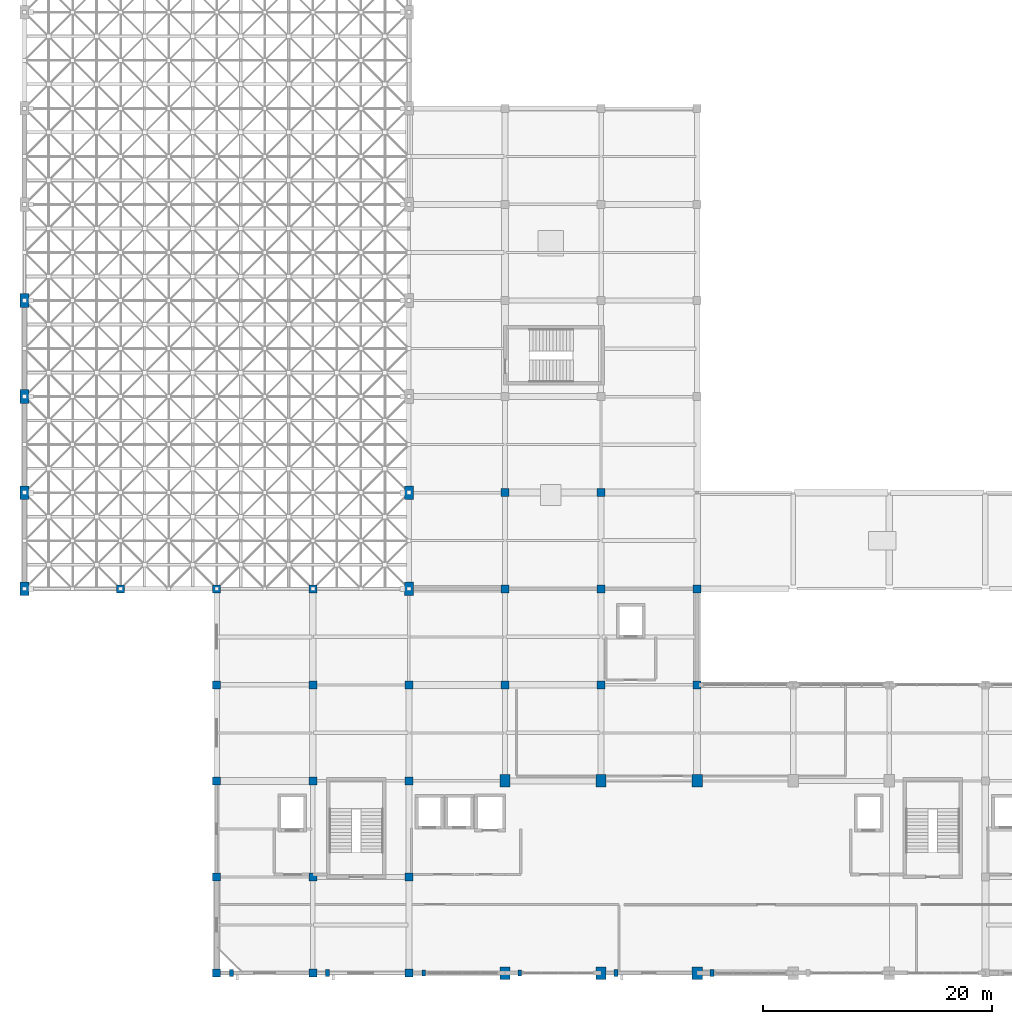
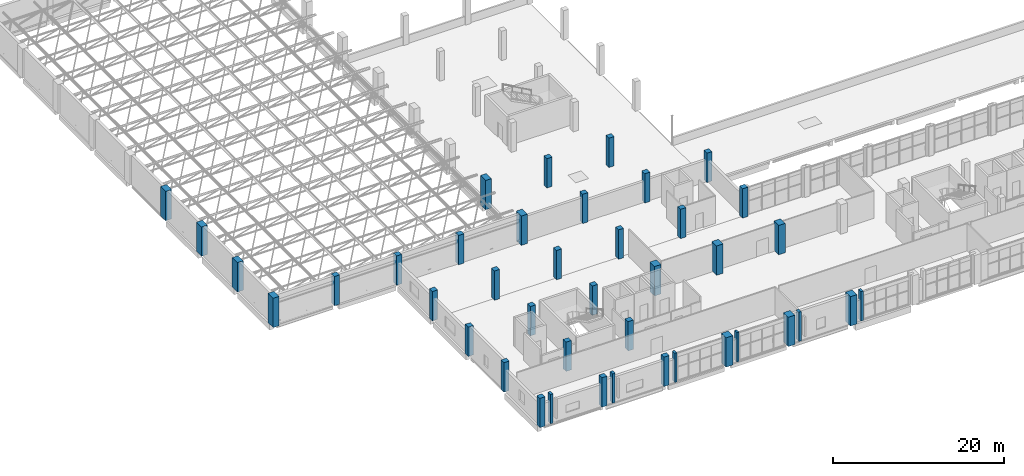
# One storey, part 1 of 64: 41 columns.
"""IFC4 building model written with IfcOpenShell, lengths in metres."""

from ifc_helpers import new_model, si_unit, derived_unit, direction, frame, origin, origin_2d, place, context, subcontext, project, spatial, rectangle, extrude, material, material_profile, profile_set, type_object, element, save


model = new_model("IFC4")

# Units and contexts
model_context = context("Model", 3, precision=1e-05, world=origin(), true_north=direction((0.0, 1.0)))
body_context = subcontext(model_context, "Body", "Model", "MODEL_VIEW")
ifc_project = project(units=[si_unit("LENGTHUNIT", "METRE"), si_unit("AREAUNIT", "SQUARE_METRE"), si_unit("VOLUMEUNIT", "CUBIC_METRE"), si_unit("PLANEANGLEUNIT", "RADIAN"), si_unit("MASSUNIT", "GRAM", prefix="KILO"), derived_unit("THERMALTRANSMITTANCEUNIT", [(si_unit("POWERUNIT", "WATT"), 1), (si_unit("LENGTHUNIT", "METRE"), -2), (si_unit("THERMODYNAMICTEMPERATUREUNIT", "KELVIN"), -1)])], contexts=[model_context])

# Site, building, storey
site_placement = place(None, origin())
site = spatial("IfcSite", under=ifc_project, at=site_placement, CompositionType="ELEMENT")
building_placement = place(site_placement, origin())
building = spatial("IfcBuilding", under=site, at=building_placement, Name="Barrovel Congress Hotel", CompositionType="ELEMENT")
storey_placement = place(building_placement, frame((0.0, 0.0, 14.10009765625)))
storey = spatial("IfcBuildingStorey", under=building, at=storey_placement, Name="L03", CompositionType="ELEMENT", Elevation=14.10009765625)

# Columns
ifc_material_1 = material(Name="Concrete C40", Category="concrete")
ifc_material_profile_1 = material_profile(ifc_material_1, rectangle(XDim=0.699951171875, YDim=0.699951171875, at=origin_2d()), Name="RC700x700")
ifc_profile_set_1 = profile_set([ifc_material_profile_1], Name="Concrete C40")
column_type_1 = type_object("IfcColumnType", Name="COL-RC700x700", PredefinedType="COLUMN", material=ifc_profile_set_1)
for number, where, z_axis, x_axis, name in (
    (1, (8.39990234375, 37.800048828125, 0.0), (0.0, 0.0, 1.0), (1.0, 0.0, 0.0), "COL:L03:8.4:37.8"),
    (2, (16.800048828125, 4.199951171875, 0.0), (0.0, 0.0, 1.0), (1.0, 0.0, 0.0), "COL:L03:16.8:4.2"),
    (3, (16.800048828125, 12.60009765625, 0.0), (0.0, 0.0, 1.0), (1.0, 0.0, 0.0), "COL:L03:16.8:12.6"),
    (4, (16.800048828125, 21.0, 0.0), (0.0, 0.0, 1.0), (1.0, 0.0, 0.0), "COL:L03:16.8:21.0"),
    (5, (16.800048828125, 29.39990234375, 0.0), (0.0, 0.0, 1.0), (1.0, 0.0, 0.0), "COL:L03:16.8:29.4"),
    (6, (16.800048828125, 37.800048828125, 0.0), (0.0, 0.0, 1.0), (1.0, 0.0, 0.0), "COL:L03:16.8:37.8"),
    (7, (25.199951171875, 4.199951171875, 0.0), (0.0, 0.0, 1.0), (1.0, 0.0, 0.0), "COL:L03:25.2:4.2"),
    (8, (25.199951171875, 12.60009765625, 0.0), (0.0, 0.0, 1.0), (1.0, 0.0, 0.0), "COL:L03:25.2:12.6"),
    (9, (25.199951171875, 21.0, 0.0), (0.0, 0.0, 1.0), (1.0, 0.0, 0.0), "COL:L03:25.2:21.0"),
    (10, (25.199951171875, 29.39990234375, 0.0), (0.0, 0.0, 1.0), (1.0, 0.0, 0.0), "COL:L03:25.2:29.4"),
    (11, (25.199951171875, 37.800048828125, 0.0), (0.0, 0.0, 1.0), (1.0, 0.0, 0.0), "COL:L03:25.2:37.8"),
    (12, (33.60009765625, 4.199951171875, 0.0), (0.0, 0.0, 1.0), (1.0, 0.0, 0.0), "COL:L03:33.6:4.2"),
    (13, (33.60009765625, 12.60009765625, 0.0), (0.0, 0.0, 1.0), (1.0, 0.0, 0.0), "COL:L03:33.6:12.6"),
    (14, (33.60009765625, 21.0, 0.0), (0.0, 0.0, 1.0), (1.0, 0.0, 0.0), "COL:L03:33.6:21.0"),
    (15, (33.60009765625, 29.39990234375, 0.0), (0.0, 0.0, 1.0), (1.0, 0.0, 0.0), "COL:L03:33.6:29.4"),
    (16, (42.0, 29.39990234375, 0.0), (0.0, 0.0, 1.0), (1.0, 0.0, 0.0), "COL:L03:42.0:29.4"),
    (17, (42.0, 37.800048828125, 0.0), (0.0, 0.0, 1.0), (1.0, 0.0, 0.0), "COL:L03:42.0:37.8"),
    (18, (42.0, 46.199951171875, 0.0), (0.0, 0.0, 1.0), (1.0, 0.0, 0.0), "COL:L03:42.0:46.2"),
    (19, (50.39990234375, 29.39990234375, 0.0), (0.0, 0.0, 1.0), (1.0, 0.0, 0.0), "COL:L03:50.4:29.4"),
    (20, (50.39990234375, 37.800048828125, 0.0), (0.0, 0.0, 1.0), (1.0, 0.0, 0.0), "COL:L03:50.4:37.8"),
    (21, (50.39990234375, 46.199951171875, 0.0), (0.0, 0.0, 1.0), (1.0, 0.0, 0.0), "COL:L03:50.4:46.2"),
    (22, (58.800048828125, 29.39990234375, 0.0), (0.0, 0.0, 1.0), (1.0, 0.0, 0.0), "COL:L03:58.8:29.4"),
    (23, (58.800048828125, 37.800048828125, 0.0), (0.0, 0.0, 1.0), (1.0, 0.0, 0.0), "COL:L03:58.8:37.8"),
):
    element("IfcColumn", number, at=place(storey_placement, frame(where, z_axis=z_axis, x_axis=x_axis)), inside=storey, type_object=column_type_1, Name=name, PredefinedType="COLUMN", context=body_context, shape_type="SweptSolid", body=[
        extrude(rectangle(XDim=0.699951171875, YDim=0.699951171875, at=origin_2d()), origin(), (0.0, 0.0, 1.0), 4.199951171875),
    ])
ifc_material_profile_2 = material_profile(ifc_material_1, rectangle(XDim=0.800048828125, YDim=1.199951171875, at=origin_2d()), Name="RC800x1200")
ifc_profile_set_2 = profile_set([ifc_material_profile_2], Name="Concrete C40")
column_type_2 = type_object("IfcColumnType", Name="COL-RC800x1200", PredefinedType="COLUMN", material=ifc_profile_set_2)
for number, where, z_axis, x_axis, name in (
    (24, (0.0, 37.800048828125, 0.0), (0.0, 0.0, 1.0), (1.0, 0.0, 0.0), "COL:L03:0.0:37.8"),
    (25, (0.0, 46.199951171875, 0.0), (0.0, 0.0, 1.0), (1.0, 0.0, 0.0), "COL:L03:0.0:46.2"),
    (26, (0.0, 54.60009765625, 0.0), (0.0, 0.0, 1.0), (1.0, 0.0, 0.0), "COL:L03:0.0:54.6"),
    (27, (0.0, 63.0, 0.0), (0.0, 0.0, 1.0), (1.0, 0.0, 0.0), "COL:L03:0.0:63.0"),
    (28, (33.60009765625, 37.800048828125, 0.0), (0.0, 0.0, 1.0), (1.0, 0.0, 0.0), "COL:L03:33.6:37.8"),
    (29, (33.60009765625, 46.199951171875, 0.0), (0.0, 0.0, 1.0), (1.0, 0.0, 0.0), "COL:L03:33.6:46.2"),
):
    element("IfcColumn", number, at=place(storey_placement, frame(where, z_axis=z_axis, x_axis=x_axis)), inside=storey, type_object=column_type_2, Name=name, PredefinedType="COLUMN", context=body_context, shape_type="SweptSolid", body=[
        extrude(rectangle(XDim=0.800048828125, YDim=1.199951171875, at=origin_2d()), origin(), (0.0, 0.0, 1.0), 4.199951171875),
    ])
ifc_material_2 = material(Name="Concrete C50", Category="concrete")
ifc_material_profile_3 = material_profile(ifc_material_2, rectangle(XDim=0.89990234375, YDim=1.10009765625, at=origin_2d()), Name="RC900x1100")
ifc_profile_set_3 = profile_set([ifc_material_profile_3], Name="Concrete C50")
column_type_3 = type_object("IfcColumnType", Name="COL-RC900x1100", PredefinedType="COLUMN", material=ifc_profile_set_3)
for number, where, z_axis, x_axis, name in (
    (30, (42.0, 4.199951171875, 0.0), (0.0, 0.0, 1.0), (1.0, 0.0, 0.0), "COL:L03:42.0:4.2"),
    (31, (42.0, 21.0, 0.0), (0.0, 0.0, 1.0), (1.0, 0.0, 0.0), "COL:L03:42.0:21.0"),
    (32, (50.39990234375, 4.199951171875, 0.0), (0.0, 0.0, 1.0), (1.0, 0.0, 0.0), "COL:L03:50.4:4.2"),
    (33, (50.39990234375, 21.0, 0.0), (0.0, 0.0, 1.0), (1.0, 0.0, 0.0), "COL:L03:50.4:21.0"),
    (34, (58.800048828125, 4.199951171875, 0.0), (0.0, 0.0, 1.0), (1.0, 0.0, 0.0), "COL:L03:58.8:4.2"),
    (35, (58.800048828125, 21.0, 0.0), (0.0, 0.0, 1.0), (1.0, 0.0, 0.0), "COL:L03:58.8:21.0"),
):
    element("IfcColumn", number, at=place(storey_placement, frame(where, z_axis=z_axis, x_axis=x_axis)), inside=storey, type_object=column_type_3, Name=name, PredefinedType="COLUMN", context=body_context, shape_type="SweptSolid", body=[
        extrude(rectangle(XDim=0.89990234375, YDim=1.10009765625, at=origin_2d()), origin(), (0.0, 0.0, 1.0), 4.199951171875),
    ])
ifc_material_profile_4 = material_profile(ifc_material_1, rectangle(XDim=0.300048828125, YDim=0.550048828125, at=origin_2d()), Name="RC300x550")
ifc_profile_set_4 = profile_set([ifc_material_profile_4], Name="Concrete C40")
column_type_4 = type_object("IfcColumnType", Name="PIL-RC300x550", PredefinedType="PILASTER", material=ifc_profile_set_4)
for number, where, z_axis, x_axis, name in (
    (36, (34.89990234375, 4.199951171875, 0.0), (0.0, 0.0, 1.0), (1.0, 0.0, 0.0), "PIL:L03:S:34.9"),
    (37, (43.300048828125, 4.199951171875, 0.0), (0.0, 0.0, 1.0), (1.0, 0.0, 0.0), "PIL:L03:S:43.3"),
):
    element("IfcColumn", number, at=place(storey_placement, frame(where, z_axis=z_axis, x_axis=x_axis)), inside=storey, type_object=column_type_4, Name=name, PredefinedType="PILASTER", context=body_context, shape_type="SweptSolid", body=[
        extrude(rectangle(XDim=0.300048828125, YDim=0.550048828125, at=origin_2d()), origin(), (0.0, 0.0, 1.0), 4.199951171875),
    ])
ifc_material_profile_5 = material_profile(ifc_material_1, rectangle(XDim=0.35009765625, YDim=0.60009765625, at=origin_2d()), Name="RC350x600")
ifc_profile_set_5 = profile_set([ifc_material_profile_5], Name="Concrete C40")
column_type_5 = type_object("IfcColumnType", Name="PIL-RC350x600", PredefinedType="PILASTER", material=ifc_profile_set_5)
for number, where, z_axis, x_axis, name in (
    (38, (18.10009765625, 4.199951171875, 0.0), (0.0, 0.0, 1.0), (1.0, 0.0, 0.0), "PIL:L03:S:18.1"),
    (39, (26.5, 4.199951171875, 0.0), (0.0, 0.0, 1.0), (1.0, 0.0, 0.0), "PIL:L03:S:26.5"),
    (40, (51.699951171875, 4.199951171875, 0.0), (0.0, 0.0, 1.0), (1.0, 0.0, 0.0), "PIL:L03:S:51.7"),
    (41, (60.10009765625, 4.199951171875, 0.0), (0.0, 0.0, 1.0), (1.0, 0.0, 0.0), "PIL:L03:S:60.1"),
):
    element("IfcColumn", number, at=place(storey_placement, frame(where, z_axis=z_axis, x_axis=x_axis)), inside=storey, type_object=column_type_5, Name=name, PredefinedType="PILASTER", context=body_context, shape_type="SweptSolid", body=[
        extrude(rectangle(XDim=0.35009765625, YDim=0.60009765625, at=origin_2d()), origin(), (0.0, 0.0, 1.0), 4.199951171875),
    ])

save(model, "model.ifc")
